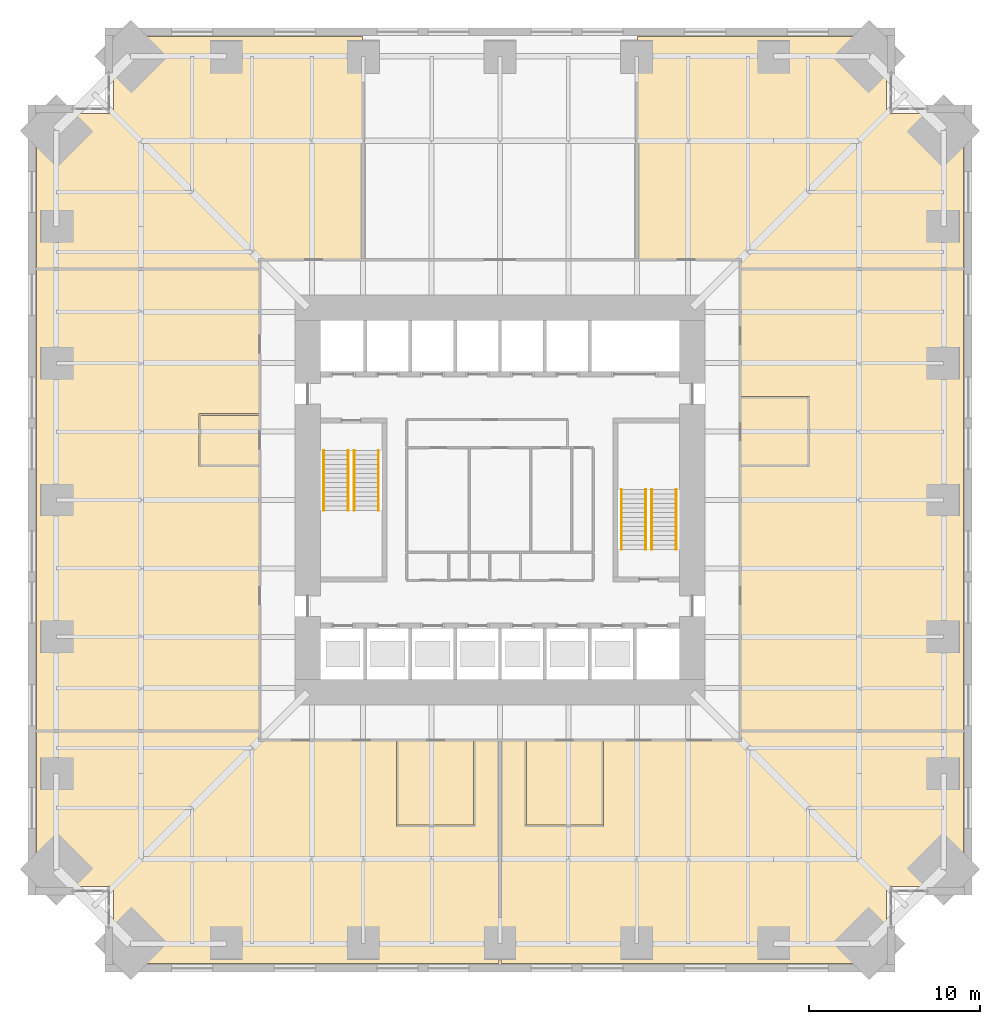
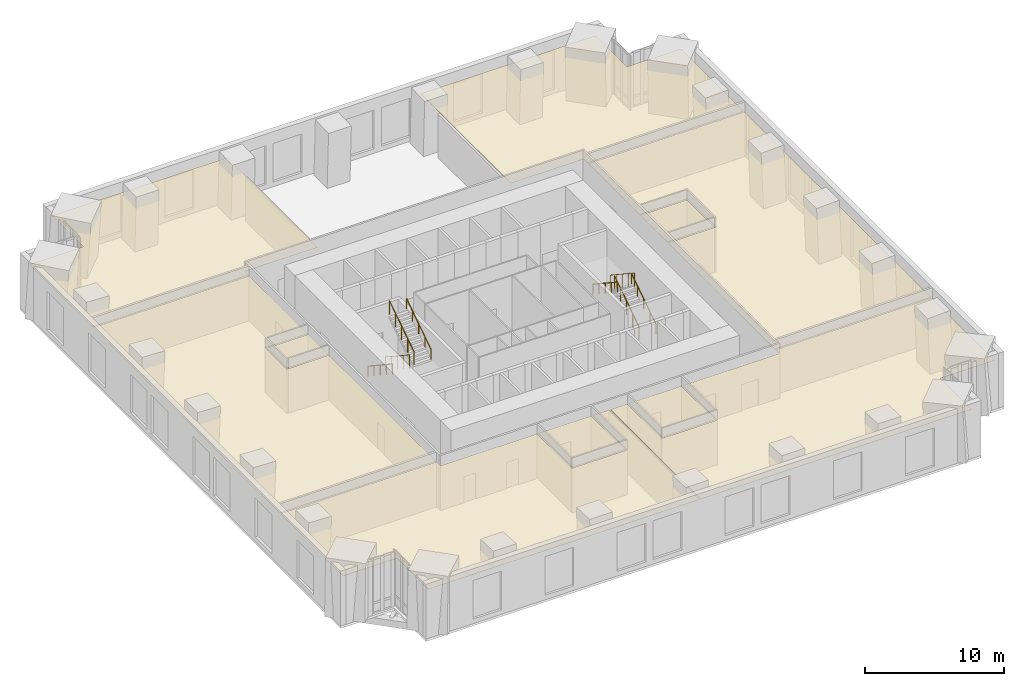
# One storey, part 17 of 18: 10 coverings, 8 railings.
"""IFC4 building model written with IfcOpenShell, lengths in metres."""

from ifc_helpers import new_model, si_unit, direction, frame, origin, origin_2d, place, context, subcontext, project, spatial, polyline, circle, outline, extrude, material, layer, layer_set, type_object, element, save


model = new_model("IFC4")

# Units and contexts
model_context = context("Model", 3, precision=1e-05, world=origin(), true_north=direction((0.0, 1.0)))
body_context = subcontext(model_context, "Body", "Model", "MODEL_VIEW")
ifc_project = project(units=[si_unit("LENGTHUNIT", "METRE"), si_unit("AREAUNIT", "SQUARE_METRE"), si_unit("VOLUMEUNIT", "CUBIC_METRE"), si_unit("PLANEANGLEUNIT", "RADIAN"), si_unit("MASSUNIT", "GRAM", prefix="KILO")], contexts=[model_context])

# Site, building, storey
site_placement = place(None, origin())
site = spatial("IfcSite", under=ifc_project, at=site_placement, CompositionType="ELEMENT")
building_placement = place(site_placement, origin())
building = spatial("IfcBuilding", under=site, at=building_placement, Name="Peilmerk Tower", CompositionType="ELEMENT")
storey_placement = place(building_placement, frame((0.0, 0.0, 122.800048828125)))
storey = spatial("IfcBuildingStorey", under=building, at=storey_placement, Name="L24", CompositionType="ELEMENT", Elevation=122.800048828125)

# Coverings
ifc_material_1 = material(Name="Mineral fibre ceiling tiles", Category="mineral")
ifc_layer = layer(ifc_material_1, 0.02490234375)
ifc_layer_set = layer_set([ifc_layer], Name="Mineral fibre ceiling tiles")
covering_type = type_object("IfcCoveringType", Name="CL1 25 suspended ceiling", PredefinedType="CEILING", material=ifc_layer_set)
covering_1_placement = place(storey_placement, frame((0.0, 0.0, 3.905029296875)))
element("IfcCovering", 1, at=covering_1_placement, inside=storey, type_object=covering_type, Name="Suspended ceiling Office", PredefinedType="CEILING", context=body_context, shape_type="SweptSolid", body=[
    extrude(outline(polyline([(-27.10009765625, 22.60009765625), (-27.10009765625, 13.550048828125), (-14.10009765625, 13.550048828125), (-14.10009765625, 14.10009765625), (-8.050048828125, 14.10009765625), (-8.050048828125, 27.10009765625), (-22.60009765625, 27.10009765625), (-22.60009765625, 22.60009765625), (-27.10009765625, 22.60009765625)])), origin(), (0.0, 0.0, 1.0), 0.02490234375),
])
covering_2_placement = place(storey_placement, frame((0.0, 0.0, 3.905029296875)))
element("IfcCovering", 2, at=covering_2_placement, inside=storey, type_object=covering_type, Name="Suspended ceiling Office", PredefinedType="CEILING", context=body_context, shape_type="SweptSolid", body=[
    extrude(outline(polyline([(22.60009765625, 27.10009765625), (8.050048828125, 27.10009765625), (8.050048828125, 14.10009765625), (14.10009765625, 14.10009765625), (14.10009765625, 13.550048828125), (27.10009765625, 13.550048828125), (27.10009765625, 22.60009765625), (22.60009765625, 22.60009765625), (22.60009765625, 27.10009765625)])), origin(), (0.0, 0.0, 1.0), 0.02490234375),
])
covering_3_placement = place(storey_placement, frame((0.0, 0.0, 3.905029296875)))
element("IfcCovering", 3, at=covering_3_placement, inside=storey, type_object=covering_type, Name="Suspended ceiling Office", PredefinedType="CEILING", context=body_context, shape_type="SweptSolid", body=[
    extrude(outline(polyline([(-22.60009765625, -22.60009765625), (-22.60009765625, -27.10009765625), (-0.050048828125, -27.10009765625), (-0.050048828125, -14.10009765625), (-1.449951171875, -14.10009765625), (-1.449951171875, -19.10009765625), (-6.050048828125, -19.10009765625), (-6.050048828125, -14.10009765625), (-14.10009765625, -14.10009765625), (-14.10009765625, -13.550048828125), (-27.10009765625, -13.550048828125), (-27.10009765625, -22.60009765625), (-22.60009765625, -22.60009765625)])), origin(), (0.0, 0.0, 1.0), 0.02490234375),
])
covering_4_placement = place(storey_placement, frame((0.0, 0.0, 3.905029296875)))
element("IfcCovering", 4, at=covering_4_placement, inside=storey, type_object=covering_type, Name="Suspended ceiling Library", PredefinedType="CEILING", context=body_context, shape_type="SweptSolid", body=[
    extrude(outline(polyline([(0.050048828125, -14.10009765625), (0.050048828125, -27.10009765625), (22.60009765625, -27.10009765625), (22.60009765625, -22.60009765625), (27.10009765625, -22.60009765625), (27.10009765625, -13.550048828125), (14.10009765625, -13.550048828125), (14.10009765625, -14.10009765625), (6.050048828125, -14.10009765625), (6.050048828125, -19.10009765625), (1.449951171875, -19.10009765625), (1.449951171875, -14.10009765625), (0.050048828125, -14.10009765625)])), origin(), (0.0, 0.0, 1.0), 0.02490234375),
])
covering_5_placement = place(storey_placement, frame((0.0, 0.0, 3.905029296875)))
element("IfcCovering", 5, at=covering_5_placement, inside=storey, type_object=covering_type, Name="Suspended ceiling Meeting room", PredefinedType="CEILING", context=body_context, shape_type="SweptSolid", body=[
    extrude(outline(polyline([(5.949951171875, -19.0), (5.949951171875, -14.10009765625), (1.550048828125, -14.10009765625), (1.550048828125, -19.0), (5.949951171875, -19.0)])), origin(), (0.0, 0.0, 1.0), 0.02490234375),
])
covering_6_placement = place(storey_placement, frame((0.0, 0.0, 3.905029296875)))
element("IfcCovering", 6, at=covering_6_placement, inside=storey, type_object=covering_type, Name="Suspended ceiling Meeting room", PredefinedType="CEILING", context=body_context, shape_type="SweptSolid", body=[
    extrude(outline(polyline([(-1.550048828125, -19.0), (-1.550048828125, -14.10009765625), (-5.949951171875, -14.10009765625), (-5.949951171875, -19.0), (-1.550048828125, -19.0)])), origin(), (0.0, 0.0, 1.0), 0.02490234375),
])
covering_7_placement = place(storey_placement, frame((0.0, 0.0, 3.905029296875)))
element("IfcCovering", 7, at=covering_7_placement, inside=storey, type_object=covering_type, Name="Suspended ceiling Office", PredefinedType="CEILING", context=body_context, shape_type="SweptSolid", body=[
    extrude(outline(polyline([(14.10009765625, -13.449951171875), (27.10009765625, -13.449951171875), (27.10009765625, 13.449951171875), (14.10009765625, 13.449951171875), (14.10009765625, 6.050048828125), (18.10009765625, 6.050048828125), (18.10009765625, 1.949951171875), (14.10009765625, 1.949951171875), (14.10009765625, -13.449951171875)])), origin(), (0.0, 0.0, 1.0), 0.02490234375),
])
covering_8_placement = place(storey_placement, frame((0.0, 0.0, 3.905029296875)))
element("IfcCovering", 8, at=covering_8_placement, inside=storey, type_object=covering_type, Name="Suspended ceiling Pantry", PredefinedType="CEILING", context=body_context, shape_type="SweptSolid", body=[
    extrude(outline(polyline([(18.0, 2.050048828125), (18.0, 5.949951171875), (14.10009765625, 5.949951171875), (14.10009765625, 2.050048828125), (18.0, 2.050048828125)])), origin(), (0.0, 0.0, 1.0), 0.02490234375),
])
covering_9_placement = place(storey_placement, frame((0.0, 0.0, 3.905029296875)))
element("IfcCovering", 9, at=covering_9_placement, inside=storey, type_object=covering_type, Name="Suspended ceiling Wellness room", PredefinedType="CEILING", context=body_context, shape_type="SweptSolid", body=[
    extrude(outline(polyline([(-14.10009765625, 13.449951171875), (-27.10009765625, 13.449951171875), (-27.10009765625, -13.449951171875), (-14.10009765625, -13.449951171875), (-14.10009765625, 1.949951171875), (-17.60009765625, 1.949951171875), (-17.60009765625, 5.050048828125), (-14.10009765625, 5.050048828125), (-14.10009765625, 13.449951171875)])), origin(), (0.0, 0.0, 1.0), 0.02490234375),
])
covering_10_placement = place(storey_placement, frame((0.0, 0.0, 3.905029296875)))
element("IfcCovering", 10, at=covering_10_placement, inside=storey, type_object=covering_type, Name="Suspended ceiling Focus room", PredefinedType="CEILING", context=body_context, shape_type="SweptSolid", body=[
    extrude(outline(polyline([(-14.10009765625, 2.050048828125), (-14.10009765625, 4.949951171875), (-17.5, 4.949951171875), (-17.5, 2.050048828125), (-14.10009765625, 2.050048828125)])), origin(), (0.0, 0.0, 1.0), 0.02490234375),
])

# Railings
ifc_material_2 = material(Name="Steel flat bar balustrade", Category="steel")
railing_type_1 = type_object("IfcRailingType", Name="GR1 1200 stair guard", PredefinedType="GUARDRAIL", material=ifc_material_2)
railing_1_placement = place(storey_placement, frame((-8.8798828125, 2.89990234375, 0.178466796875)))
element("IfcRailing", 11, at=railing_1_placement, inside=storey, type_object=railing_type_1, Name="Guard stair 1 L24", PredefinedType="GUARDRAIL", context=body_context, shape_type="SweptSolid", body=[
    extrude(circle(Radius=0.02392578125, at=origin_2d()), frame((0.0, 0.0, 1.17578125), z_axis=(0.0, -0.834070780157, 0.551657442339), x_axis=(1.0, 0.0, 0.0)), (0.0, 0.0, 1.0), 4.208251953125),
    extrude(circle(Radius=0.02099609375, at=origin_2d()), origin(), (0.0, 0.0, 1.0), 1.15185546875),
    extrude(circle(Radius=0.02099609375, at=origin_2d()), frame((0.0, -0.87744140625, 0.580322265625)), (0.0, 0.0, 1.0), 1.15185546875),
    extrude(circle(Radius=0.02099609375, at=origin_2d()), frame((0.0, -1.7548828125, 1.16064453125)), (0.0, 0.0, 1.0), 1.15185546875),
    extrude(circle(Radius=0.02099609375, at=origin_2d()), frame((0.0, -2.632568359375, 1.7412109375)), (0.0, 0.0, 1.0), 1.15185546875),
    extrude(circle(Radius=0.02099609375, at=origin_2d()), frame((0.0, -3.510009765625, 2.321533203125)), (0.0, 0.0, 1.0), 1.15185546875),
])
for number, where, name in (
    (12, (-8.52001953125, -0.610107421875, 2.678466796875), "Guard stair 1 L24"),
    (13, (8.8798828125, -2.89990234375, 0.178466796875), "Guard stair 2 L24"),
):
    element("IfcRailing", number, at=place(storey_placement, frame(where)), inside=storey, type_object=railing_type_1, Name=name, PredefinedType="GUARDRAIL", context=body_context, shape_type="SweptSolid", body=[
        extrude(circle(Radius=0.02392578125, at=origin_2d()), frame((0.0, 0.0, 1.17578125), z_axis=(0.0, 0.834070780157, 0.551657442339), x_axis=(-1.0, 0.0, 0.0)), (0.0, 0.0, 1.0), 4.208251953125),
        extrude(circle(Radius=0.02099609375, at=origin_2d()), origin(), (0.0, 0.0, 1.0), 1.15185546875),
        extrude(circle(Radius=0.02099609375, at=origin_2d()), frame((0.0, 0.87744140625, 0.580322265625)), (0.0, 0.0, 1.0), 1.15185546875),
        extrude(circle(Radius=0.02099609375, at=origin_2d()), frame((0.0, 1.7548828125, 1.16064453125)), (0.0, 0.0, 1.0), 1.15185546875),
        extrude(circle(Radius=0.02099609375, at=origin_2d()), frame((0.0, 2.632568359375, 1.7412109375)), (0.0, 0.0, 1.0), 1.15185546875),
        extrude(circle(Radius=0.02099609375, at=origin_2d()), frame((0.0, 3.510009765625, 2.321533203125)), (0.0, 0.0, 1.0), 1.15185546875),
    ])
railing_2_placement = place(storey_placement, frame((8.52001953125, 0.610107421875, 2.678466796875)))
element("IfcRailing", 14, at=railing_2_placement, inside=storey, type_object=railing_type_1, Name="Guard stair 2 L24", PredefinedType="GUARDRAIL", context=body_context, shape_type="SweptSolid", body=[
    extrude(circle(Radius=0.02392578125, at=origin_2d()), frame((0.0, 0.0, 1.17578125), z_axis=(0.0, -0.834070780157, 0.551657442339), x_axis=(1.0, 0.0, 0.0)), (0.0, 0.0, 1.0), 4.208251953125),
    extrude(circle(Radius=0.02099609375, at=origin_2d()), origin(), (0.0, 0.0, 1.0), 1.15185546875),
    extrude(circle(Radius=0.02099609375, at=origin_2d()), frame((0.0, -0.87744140625, 0.580322265625)), (0.0, 0.0, 1.0), 1.15185546875),
    extrude(circle(Radius=0.02099609375, at=origin_2d()), frame((0.0, -1.7548828125, 1.16064453125)), (0.0, 0.0, 1.0), 1.15185546875),
    extrude(circle(Radius=0.02099609375, at=origin_2d()), frame((0.0, -2.632568359375, 1.7412109375)), (0.0, 0.0, 1.0), 1.15185546875),
    extrude(circle(Radius=0.02099609375, at=origin_2d()), frame((0.0, -3.510009765625, 2.321533203125)), (0.0, 0.0, 1.0), 1.15185546875),
])
ifc_material_3 = material(Name="Stainless steel tube", Category="steel")
railing_type_2 = type_object("IfcRailingType", Name="HR1 900 stair handrail", PredefinedType="HANDRAIL", material=ifc_material_3)
railing_3_placement = place(storey_placement, frame((-10.300048828125, 2.89990234375, 0.178466796875)))
element("IfcRailing", 15, at=railing_3_placement, inside=storey, type_object=railing_type_2, Name="Handrail stair 1 L24", PredefinedType="HANDRAIL", context=body_context, shape_type="SweptSolid", body=[
    extrude(circle(Radius=0.02392578125, at=origin_2d()), frame((0.0, 0.0, 0.8759765625), z_axis=(0.0, -0.834070780157, 0.551657442339), x_axis=(1.0, 0.0, 0.0)), (0.0, 0.0, 1.0), 4.208251953125),
    extrude(circle(Radius=0.02099609375, at=origin_2d()), origin(), (0.0, 0.0, 1.0), 0.851806640625),
    extrude(circle(Radius=0.02099609375, at=origin_2d()), frame((0.0, -0.87744140625, 0.580322265625)), (0.0, 0.0, 1.0), 0.851806640625),
    extrude(circle(Radius=0.02099609375, at=origin_2d()), frame((0.0, -1.7548828125, 1.16064453125)), (0.0, 0.0, 1.0), 0.851806640625),
    extrude(circle(Radius=0.02099609375, at=origin_2d()), frame((0.0, -2.632568359375, 1.7412109375)), (0.0, 0.0, 1.0), 0.851806640625),
    extrude(circle(Radius=0.02099609375, at=origin_2d()), frame((0.0, -3.510009765625, 2.321533203125)), (0.0, 0.0, 1.0), 0.851806640625),
])
for number, where, name in (
    (16, (-7.10009765625, -0.610107421875, 2.678466796875), "Handrail stair 1 L24"),
    (17, (10.300048828125, -2.89990234375, 0.178466796875), "Handrail stair 2 L24"),
):
    element("IfcRailing", number, at=place(storey_placement, frame(where)), inside=storey, type_object=railing_type_2, Name=name, PredefinedType="HANDRAIL", context=body_context, shape_type="SweptSolid", body=[
        extrude(circle(Radius=0.02392578125, at=origin_2d()), frame((0.0, 0.0, 0.8759765625), z_axis=(0.0, 0.834070780157, 0.551657442339), x_axis=(-1.0, 0.0, 0.0)), (0.0, 0.0, 1.0), 4.208251953125),
        extrude(circle(Radius=0.02099609375, at=origin_2d()), origin(), (0.0, 0.0, 1.0), 0.851806640625),
        extrude(circle(Radius=0.02099609375, at=origin_2d()), frame((0.0, 0.87744140625, 0.580322265625)), (0.0, 0.0, 1.0), 0.851806640625),
        extrude(circle(Radius=0.02099609375, at=origin_2d()), frame((0.0, 1.7548828125, 1.16064453125)), (0.0, 0.0, 1.0), 0.851806640625),
        extrude(circle(Radius=0.02099609375, at=origin_2d()), frame((0.0, 2.632568359375, 1.7412109375)), (0.0, 0.0, 1.0), 0.851806640625),
        extrude(circle(Radius=0.02099609375, at=origin_2d()), frame((0.0, 3.510009765625, 2.321533203125)), (0.0, 0.0, 1.0), 0.851806640625),
    ])
railing_4_placement = place(storey_placement, frame((7.10009765625, 0.610107421875, 2.678466796875)))
element("IfcRailing", 18, at=railing_4_placement, inside=storey, type_object=railing_type_2, Name="Handrail stair 2 L24", PredefinedType="HANDRAIL", context=body_context, shape_type="SweptSolid", body=[
    extrude(circle(Radius=0.02392578125, at=origin_2d()), frame((0.0, 0.0, 0.8759765625), z_axis=(0.0, -0.834070780157, 0.551657442339), x_axis=(1.0, 0.0, 0.0)), (0.0, 0.0, 1.0), 4.208251953125),
    extrude(circle(Radius=0.02099609375, at=origin_2d()), origin(), (0.0, 0.0, 1.0), 0.851806640625),
    extrude(circle(Radius=0.02099609375, at=origin_2d()), frame((0.0, -0.87744140625, 0.580322265625)), (0.0, 0.0, 1.0), 0.851806640625),
    extrude(circle(Radius=0.02099609375, at=origin_2d()), frame((0.0, -1.7548828125, 1.16064453125)), (0.0, 0.0, 1.0), 0.851806640625),
    extrude(circle(Radius=0.02099609375, at=origin_2d()), frame((0.0, -2.632568359375, 1.7412109375)), (0.0, 0.0, 1.0), 0.851806640625),
    extrude(circle(Radius=0.02099609375, at=origin_2d()), frame((0.0, -3.510009765625, 2.321533203125)), (0.0, 0.0, 1.0), 0.851806640625),
])

save(model, "model.ifc")
